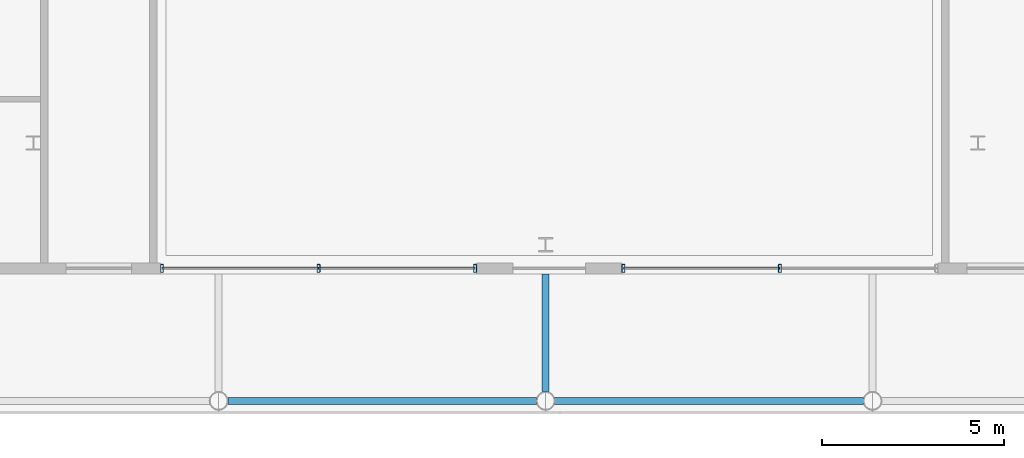
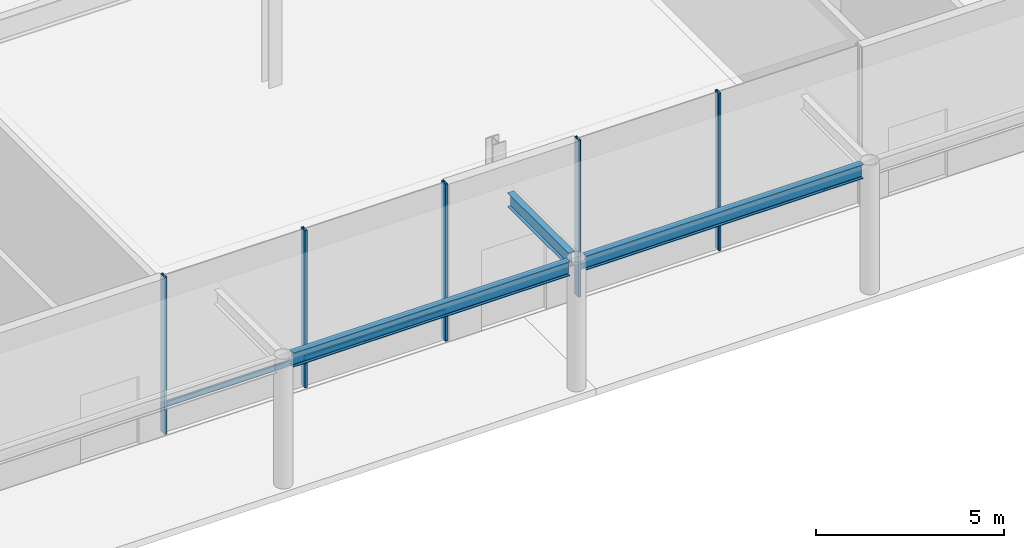
# One storey, part 12 of 46: 8 members, 3 beams, 2 elements without a shape of their own.
"""IFC4 building model written with IfcOpenShell, lengths in metres."""

from ifc_helpers import new_model, si_unit, direction, frame, origin, origin_2d, place, context, subcontext, project, spatial, hollow_rectangle, i_section, extrude, material, layer, layer_set, material_profile, profile_set, type_object, element, aggregate, save


model = new_model("IFC4")

# Units and contexts
model_context = context("Model", 3, precision=1e-05, world=origin(), true_north=direction((0.0, 1.0)))
body_context = subcontext(model_context, "Body", "Model", "MODEL_VIEW")
ifc_project = project(units=[si_unit("LENGTHUNIT", "METRE"), si_unit("AREAUNIT", "SQUARE_METRE"), si_unit("VOLUMEUNIT", "CUBIC_METRE"), si_unit("PLANEANGLEUNIT", "RADIAN"), si_unit("MASSUNIT", "GRAM", prefix="KILO")], contexts=[model_context])

# Site, building, storey
site_placement = place(None, origin())
site = spatial("IfcSite", under=ifc_project, at=site_placement, CompositionType="ELEMENT")
building_placement = place(site_placement, origin())
building = spatial("IfcBuilding", under=site, at=building_placement, Name="Korimba Cascade Residences", CompositionType="ELEMENT")
storey_placement = place(building_placement, origin())
storey = spatial("IfcBuildingStorey", under=building, at=storey_placement, Name="L00", CompositionType="ELEMENT", Elevation=0.0)

# Beams
ifc_material_1 = material(Name="Steel S355", Category="steel")
ifc_material_profile_1 = material_profile(ifc_material_1, i_section(OverallWidth=0.19140625, OverallDepth=0.4599609375, WebThickness=0.010009765625, FlangeThickness=0.01611328125, FilletRadius=0.01025390625, at=origin_2d()), Name="Steel S355")
ifc_profile_set_1 = profile_set([ifc_material_profile_1], Name="Steel S355")
beam_type = type_object("IfcBeamType", Name="BM-STL-UB457", PredefinedType="JOIST", material=ifc_profile_set_1)
beam_placement = place(storey_placement, frame((100.10009765625, -29.739990234375, 3.969970703125), z_axis=(0.0, 1.0, 0.0), x_axis=(-1.0, 0.0, 0.0)))
element("IfcBeam", 1, at=beam_placement, inside=storey, type_object=beam_type, Name="Canopy Tie Beam 4", PredefinedType="JOIST", context=body_context, shape_type="SweptSolid", body=[
    extrude(i_section(OverallWidth=0.19140625, OverallDepth=0.4599609375, WebThickness=0.010009765625, FlangeThickness=0.01611328125, FilletRadius=0.01025390625, at=origin_2d()), origin(), (0.0, 0.0, 1.0), 3.239990234375),
])
for number, where, z_axis, x_axis, name in (
    (2, (91.35009765625, -30.0, 3.969970703125), (1.0, 0.0, 0.0), (0.0, 1.0, 0.0), "Canopy Edge Beam 3"),
    (3, (100.35009765625, -30.0, 3.969970703125), (1.0, 0.0, 0.0), (0.0, 1.0, 0.0), "Canopy Edge Beam 4"),
):
    element("IfcBeam", number, at=place(storey_placement, frame(where, z_axis=z_axis, x_axis=x_axis)), inside=storey, type_object=beam_type, Name=name, PredefinedType="JOIST", context=body_context, shape_type="SweptSolid", body=[
        extrude(i_section(OverallWidth=0.19140625, OverallDepth=0.4599609375, WebThickness=0.010009765625, FlangeThickness=0.01611328125, FilletRadius=0.01025390625, at=origin_2d()), origin(), (0.0, 0.0, 1.0), 8.5),
    ])

# Curtain wall, members
ifc_material_2 = material(Name="Anodised Aluminium Curtain Wall Framing", Category="aluminium")
ifc_layer = layer(ifc_material_2, 0.179931640625)
ifc_layer_set = layer_set([ifc_layer], Name="Anodised Aluminium Curtain Wall Framing")
curtain_wall_type = type_object("IfcCurtainWallType", Name="CW-POD-SYS1", PredefinedType="NOTDEFINED", material=ifc_layer_set)
curtain_wall_1_placement = place(storey_placement, origin())
curtain_wall_1 = element("IfcCurtainWall", 4, at=curtain_wall_1_placement, inside=storey, type_object=curtain_wall_type, Name="L00 Curtain Wall CW-L00-POD-S1", PredefinedType="NOTDEFINED")
ifc_material_3 = material(Name="Anodised Aluminium Mullion", Category="aluminium")
ifc_material_profile_2 = material_profile(ifc_material_3, hollow_rectangle(XDim=0.080078125, YDim=0.219970703125, WallThickness=0.00634765625, InnerFilletRadius=0.00634765625, OuterFilletRadius=0.0126953125, at=origin_2d()), Name="Anodised Aluminium Mullion")
ifc_profile_set_2 = profile_set([ifc_material_profile_2], Name="Anodised Aluminium Mullion")
member_type_1 = type_object("IfcMemberType", Name="CWM-MUL-220", PredefinedType="MULLION", material=ifc_profile_set_2)
member_1_placement = place(storey_placement, frame((89.5400390625, -26.35009765625, 0.0), z_axis=(0.0, 0.0, 1.0), x_axis=(1.0, 0.0, 0.0)))
member_1 = element("IfcMember", 5, at=member_1_placement, type_object=member_type_1, Name="CW-L00-POD-S1 Mullion 1", PredefinedType="MULLION", context=body_context, shape_type="SweptSolid", body=[
    extrude(hollow_rectangle(XDim=0.080078125, YDim=0.219970703125, WallThickness=0.00634765625, InnerFilletRadius=0.00634765625, OuterFilletRadius=0.0126953125, at=origin_2d()), origin(), (0.0, 0.0, 1.0), 5.10009765625),
])
member_2_placement = place(storey_placement, frame((93.85009765625, -26.35009765625, 0.0), z_axis=(0.0, 0.0, 1.0), x_axis=(1.0, 0.0, 0.0)))
member_2 = element("IfcMember", 6, at=member_2_placement, type_object=member_type_1, Name="CW-L00-POD-S1 Mullion 2", PredefinedType="MULLION", context=body_context, shape_type="SweptSolid", body=[
    extrude(hollow_rectangle(XDim=0.080078125, YDim=0.219970703125, WallThickness=0.00634765625, InnerFilletRadius=0.00634765625, OuterFilletRadius=0.0126953125, at=origin_2d()), origin(), (0.0, 0.0, 1.0), 5.10009765625),
])
member_3_placement = place(storey_placement, frame((98.159912109375, -26.35009765625, 0.0), z_axis=(0.0, 0.0, 1.0), x_axis=(1.0, 0.0, 0.0)))
member_3 = element("IfcMember", 7, at=member_3_placement, type_object=member_type_1, Name="CW-L00-POD-S1 Mullion 3", PredefinedType="MULLION", context=body_context, shape_type="SweptSolid", body=[
    extrude(hollow_rectangle(XDim=0.080078125, YDim=0.219970703125, WallThickness=0.00634765625, InnerFilletRadius=0.00634765625, OuterFilletRadius=0.0126953125, at=origin_2d()), origin(), (0.0, 0.0, 1.0), 5.10009765625),
])

curtain_wall_2_placement = place(storey_placement, origin())
curtain_wall_2 = element("IfcCurtainWall", 8, at=curtain_wall_2_placement, inside=storey, type_object=curtain_wall_type, Name="L00 Curtain Wall CW-L00-POD-S2", PredefinedType="NOTDEFINED")
member_4_placement = place(storey_placement, frame((102.239990234375, -26.35009765625, 0.0), z_axis=(0.0, 0.0, 1.0), x_axis=(1.0, 0.0, 0.0)))
member_4 = element("IfcMember", 9, at=member_4_placement, type_object=member_type_1, Name="CW-L00-POD-S2 Mullion 1", PredefinedType="MULLION", context=body_context, shape_type="SweptSolid", body=[
    extrude(hollow_rectangle(XDim=0.080078125, YDim=0.219970703125, WallThickness=0.00634765625, InnerFilletRadius=0.00634765625, OuterFilletRadius=0.0126953125, at=origin_2d()), origin(), (0.0, 0.0, 1.0), 5.10009765625),
])
member_5_placement = place(storey_placement, frame((106.550048828125, -26.35009765625, 0.0), z_axis=(0.0, 0.0, 1.0), x_axis=(1.0, 0.0, 0.0)))
member_5 = element("IfcMember", 10, at=member_5_placement, type_object=member_type_1, Name="CW-L00-POD-S2 Mullion 2", PredefinedType="MULLION", context=body_context, shape_type="SweptSolid", body=[
    extrude(hollow_rectangle(XDim=0.080078125, YDim=0.219970703125, WallThickness=0.00634765625, InnerFilletRadius=0.00634765625, OuterFilletRadius=0.0126953125, at=origin_2d()), origin(), (0.0, 0.0, 1.0), 5.10009765625),
])

# Member
ifc_material_4 = material(Name="Anodised Aluminium Transom", Category="aluminium")
ifc_material_profile_3 = material_profile(ifc_material_4, hollow_rectangle(XDim=0.070068359375, YDim=0.179931640625, WallThickness=0.0048828125, InnerFilletRadius=0.0048828125, OuterFilletRadius=0.010009765625, at=origin_2d()), Name="Anodised Aluminium Transom")
ifc_profile_set_3 = profile_set([ifc_material_profile_3], Name="Anodised Aluminium Transom")
member_type_2 = type_object("IfcMemberType", Name="CWM-TRN-150", PredefinedType="USERDEFINED", material=ifc_profile_set_3)
member_6_placement = place(storey_placement, frame((89.5400390625, -26.35009765625, 0.89990234375), z_axis=(1.0, 0.0, 0.0), x_axis=(0.0, 1.0, 0.0)))
member_6 = element("IfcMember", 11, at=member_6_placement, type_object=member_type_2, Name="CW-L00-POD-S1 Transom 1", ObjectType="TRANSOM", PredefinedType="USERDEFINED", context=body_context, shape_type="SweptSolid", body=[
    extrude(hollow_rectangle(XDim=0.070068359375, YDim=0.179931640625, WallThickness=0.0048828125, InnerFilletRadius=0.0048828125, OuterFilletRadius=0.010009765625, at=origin_2d()), origin(), (0.0, 0.0, 1.0), 4.31005859375),
])

member_7_placement = place(storey_placement, frame((93.85009765625, -26.35009765625, 0.89990234375), z_axis=(1.0, 0.0, 0.0), x_axis=(0.0, 1.0, 0.0)))
member_7 = element("IfcMember", 12, at=member_7_placement, type_object=member_type_2, Name="CW-L00-POD-S1 Transom 2", ObjectType="TRANSOM", PredefinedType="USERDEFINED", context=body_context, shape_type="SweptSolid", body=[
    extrude(hollow_rectangle(XDim=0.070068359375, YDim=0.179931640625, WallThickness=0.0048828125, InnerFilletRadius=0.0048828125, OuterFilletRadius=0.010009765625, at=origin_2d()), origin(), (0.0, 0.0, 1.0), 4.309814453125),
])

aggregate(curtain_wall_1, [member_1, member_2, member_3, member_6, member_7])

member_8_placement = place(storey_placement, frame((102.239990234375, -26.35009765625, 0.89990234375), z_axis=(1.0, 0.0, 0.0), x_axis=(0.0, 1.0, 0.0)))
member_8 = element("IfcMember", 13, at=member_8_placement, type_object=member_type_2, Name="CW-L00-POD-S2 Transom 1", ObjectType="TRANSOM", PredefinedType="USERDEFINED", context=body_context, shape_type="SweptSolid", body=[
    extrude(hollow_rectangle(XDim=0.070068359375, YDim=0.179931640625, WallThickness=0.0048828125, InnerFilletRadius=0.0048828125, OuterFilletRadius=0.010009765625, at=origin_2d()), origin(), (0.0, 0.0, 1.0), 4.31005859375),
])

aggregate(curtain_wall_2, [member_4, member_5, member_8])

save(model, "model.ifc")
